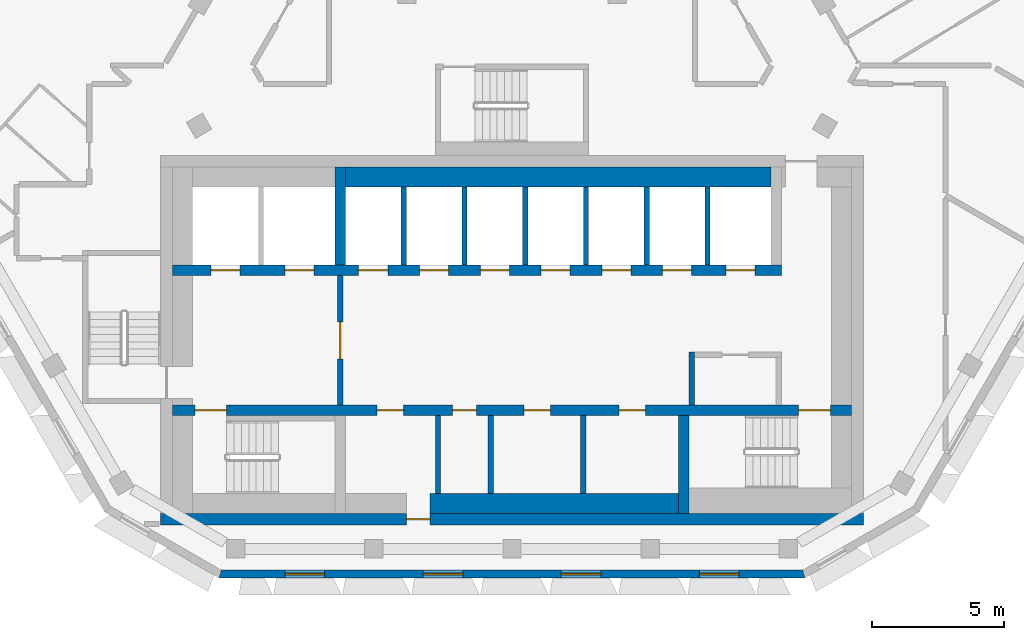
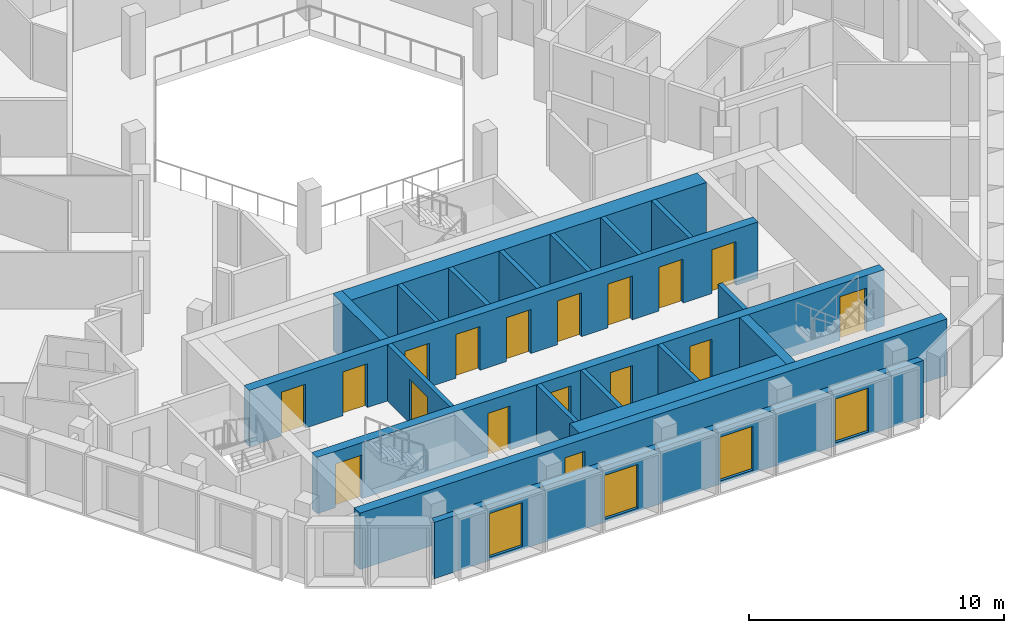
# One storey, part 3 of 14: 19 walls, 17 doors, 4 windows, 21 openings.
"""IFC4 building model written with IfcOpenShell, lengths in metres."""

from ifc_helpers import new_model, si_unit, direction, frame, frame_2d, origin, place, context, subcontext, project, spatial, polyline, rectangle, outline, extrude, material, layer, layer_set, type_object, element, fill, save


model = new_model("IFC4")

# Units and contexts
model_context = context("Model", 3, precision=1e-05, world=origin(), true_north=direction((0.0, 1.0)))
body_context = subcontext(model_context, "Body", "Model", "MODEL_VIEW")
ifc_project = project(units=[si_unit("LENGTHUNIT", "METRE"), si_unit("AREAUNIT", "SQUARE_METRE"), si_unit("VOLUMEUNIT", "CUBIC_METRE"), si_unit("PLANEANGLEUNIT", "RADIAN"), si_unit("MASSUNIT", "GRAM", prefix="KILO")], contexts=[model_context])

# Site, building, storey
site_placement = place(None, origin())
site = spatial("IfcSite", under=ifc_project, at=site_placement, CompositionType="ELEMENT")
building_placement = place(site_placement, origin())
building = spatial("IfcBuilding", under=site, at=building_placement, Name="Beryl Residences", CompositionType="ELEMENT")
storey_placement = place(building_placement, frame((0.0, 0.0, 223.800048828125)))
storey = spatial("IfcBuildingStorey", under=building, at=storey_placement, Name="L69", CompositionType="ELEMENT", Elevation=223.800048828125)

# Wall, openings, windows
ifc_material_1 = material(Name="Composite metal panel with mineral wool insulation")
ifc_layer_1 = layer(ifc_material_1, 0.300048828125)
ifc_layer_set_1 = layer_set([ifc_layer_1], Name="ES1 pale metal composite panel wall 300 mm")
wall_type_1 = type_object("IfcWallType", Name="ES1 pale metal composite panel wall 300 mm", PredefinedType="SOLIDWALL", material=ifc_layer_set_1)
wall_1_placement = place(storey_placement, frame((-11.0849609375, -20.85009765625, 0.0), z_axis=(0.0, 0.0, 1.0), x_axis=(1.0, 0.0, 0.0)))
wall_1 = element("IfcWall", 1, at=wall_1_placement, inside=storey, type_object=wall_type_1, Name="ES1 external wall L69 S", PredefinedType="SOLIDWALL", context=body_context, shape_type="SweptSolid", body=[
    extrude(outline(polyline([(0.0, -0.14990234375), (22.169921875, -0.14990234375), (22.089599609375, 0.14990234375), (0.080322265625, 0.14990234375), (0.0, -0.14990234375)])), origin(), (0.0, 0.0, 1.0), 2.699951171875),
])
opening_1_placement = place(wall_1_placement, frame((2.498046875, 0.0, 0.14990234375)))
opening_1 = element("IfcOpeningElement", 2, at=opening_1_placement, cuts=wall_1, Name="Opening W1", PredefinedType="OPENING", context=body_context, shape_type="SweptSolid", body=[
    extrude(rectangle(XDim=1.5, YDim=2.10009765625, at=frame_2d((0.75, 1.050048828125))), frame((0.0, 0.159912109375, 0.0), z_axis=(0.0, -1.0, 0.0), x_axis=(1.0, 0.0, 0.0)), (0.0, 0.0, 1.0), 0.320068359375),
])
opening_2_placement = place(wall_1_placement, frame((7.722900390625, 0.0, 0.14990234375)))
opening_2 = element("IfcOpeningElement", 3, at=opening_2_placement, cuts=wall_1, Name="Opening W1", PredefinedType="OPENING", context=body_context, shape_type="SweptSolid", body=[
    extrude(rectangle(XDim=1.5, YDim=2.10009765625, at=frame_2d((0.75, 1.050048828125))), frame((0.0, 0.159912109375, 0.0), z_axis=(0.0, -1.0, 0.0), x_axis=(1.0, 0.0, 0.0)), (0.0, 0.0, 1.0), 0.320068359375),
])
opening_3_placement = place(wall_1_placement, frame((12.947021484375, 0.0, 0.14990234375)))
opening_3 = element("IfcOpeningElement", 4, at=opening_3_placement, cuts=wall_1, Name="Opening W1", PredefinedType="OPENING", context=body_context, shape_type="SweptSolid", body=[
    extrude(rectangle(XDim=1.5, YDim=2.10009765625, at=frame_2d((0.75, 1.050048828125))), frame((0.0, 0.159912109375, 0.0), z_axis=(0.0, -1.0, 0.0), x_axis=(1.0, 0.0, 0.0)), (0.0, 0.0, 1.0), 0.320068359375),
])
opening_4_placement = place(wall_1_placement, frame((18.172119140625, 0.0, 0.14990234375)))
opening_4 = element("IfcOpeningElement", 5, at=opening_4_placement, cuts=wall_1, Name="Opening W1", PredefinedType="OPENING", context=body_context, shape_type="SweptSolid", body=[
    extrude(rectangle(XDim=1.5, YDim=2.10009765625, at=frame_2d((0.75, 1.050048828125))), frame((0.0, 0.159912109375, 0.0), z_axis=(0.0, -1.0, 0.0), x_axis=(1.0, 0.0, 0.0)), (0.0, 0.0, 1.0), 0.320068359375),
])
ifc_material_2 = material(Name="Aluminium and clear glass", Category="aluminium")
window_type = type_object("IfcWindowType", Name="W1 cell window 1500 x 2100 mm", PartitioningType="SINGLE_PANEL", PredefinedType="WINDOW", material=ifc_material_2)
window_1_placement = place(opening_1_placement, origin())
window_1 = element("IfcWindow", 6, at=window_1_placement, inside=storey, type_object=window_type, Name="W1 window L69 S 2", OverallHeight=2.10009765625, OverallWidth=1.5, PartitioningType="SINGLE_PANEL", PredefinedType="WINDOW", context=body_context, shape_type="SweptSolid", body=[
    extrude(rectangle(XDim=1.5, YDim=2.10009765625, at=frame_2d((0.75, 1.050048828125))), frame((0.0, 0.030029296875, 0.0), z_axis=(0.0, -1.0, 0.0), x_axis=(1.0, 0.0, 0.0)), (0.0, 0.0, 1.0), 0.06005859375),
])
fill(opening_1, window_1)
window_2_placement = place(opening_2_placement, origin())
window_2 = element("IfcWindow", 7, at=window_2_placement, inside=storey, type_object=window_type, Name="W1 window L69 S 4", OverallHeight=2.10009765625, OverallWidth=1.5, PartitioningType="SINGLE_PANEL", PredefinedType="WINDOW", context=body_context, shape_type="SweptSolid", body=[
    extrude(rectangle(XDim=1.5, YDim=2.10009765625, at=frame_2d((0.75, 1.050048828125))), frame((0.0, 0.030029296875, 0.0), z_axis=(0.0, -1.0, 0.0), x_axis=(1.0, 0.0, 0.0)), (0.0, 0.0, 1.0), 0.06005859375),
])
fill(opening_2, window_2)
window_3_placement = place(opening_3_placement, origin())
window_3 = element("IfcWindow", 8, at=window_3_placement, inside=storey, type_object=window_type, Name="W1 window L69 S 6", OverallHeight=2.10009765625, OverallWidth=1.5, PartitioningType="SINGLE_PANEL", PredefinedType="WINDOW", context=body_context, shape_type="SweptSolid", body=[
    extrude(rectangle(XDim=1.5, YDim=2.10009765625, at=frame_2d((0.75, 1.050048828125))), frame((0.0, 0.030029296875, 0.0), z_axis=(0.0, -1.0, 0.0), x_axis=(1.0, 0.0, 0.0)), (0.0, 0.0, 1.0), 0.06005859375),
])
fill(opening_3, window_3)
window_4_placement = place(opening_4_placement, origin())
window_4 = element("IfcWindow", 9, at=window_4_placement, inside=storey, type_object=window_type, Name="W1 window L69 S 8", OverallHeight=2.10009765625, OverallWidth=1.5, PartitioningType="SINGLE_PANEL", PredefinedType="WINDOW", context=body_context, shape_type="SweptSolid", body=[
    extrude(rectangle(XDim=1.5, YDim=2.10009765625, at=frame_2d((0.75, 1.050048828125))), frame((0.0, 0.030029296875, 0.0), z_axis=(0.0, -1.0, 0.0), x_axis=(1.0, 0.0, 0.0)), (0.0, 0.0, 1.0), 0.06005859375),
])
fill(opening_4, window_4)

# Wall, opening, door
ifc_material_3 = material(Name="Concrete masonry", Category="masonry")
ifc_layer_2 = layer(ifc_material_3, 0.199951171875)
ifc_layer_set_2 = layer_set([ifc_layer_2], Name="PT13 lobby wall 200 mm")
wall_type_2 = type_object("IfcWallType", Name="PT13 lobby wall 200 mm", PredefinedType="PARTITIONING", material=ifc_layer_set_2)
wall_2_placement = place(storey_placement, frame((-6.5, -14.449951171875, 0.0), z_axis=(0.0, 0.0, 1.0), x_axis=(0.0, 1.0, 0.0)))
wall_2 = element("IfcWall", 10, at=wall_2_placement, inside=storey, type_object=wall_type_2, Name="Lobby wall 12", PredefinedType="PARTITIONING", context=body_context, shape_type="SweptSolid", body=[
    extrude(rectangle(XDim=4.89990234375, YDim=0.199951171875, at=frame_2d((2.449951171875, 0.0))), origin(), (0.0, 0.0, 1.0), 2.699951171875),
])
opening_5_placement = place(wall_2_placement, frame((3.14990234375, 0.0, 0.0), z_axis=(0.0, 0.0, 1.0), x_axis=(-1.0, 0.0, 0.0)))
opening_5 = element("IfcOpeningElement", 11, at=opening_5_placement, cuts=wall_2, Name="Opening FD-FFL", PredefinedType="OPENING", context=body_context, shape_type="SweptSolid", body=[
    extrude(rectangle(XDim=1.39990234375, YDim=2.10009765625, at=frame_2d((0.699951171875, 1.050048828125))), frame((0.0, 0.10986328125, 0.0), z_axis=(0.0, -1.0, 0.0), x_axis=(1.0, 0.0, 0.0)), (0.0, 0.0, 1.0), 0.219970703125),
])
ifc_material_4 = material(Name="Steel door leaf in steel frame", Category="steel")
door_type_1 = type_object("IfcDoorType", Name="D5 lobby door 1400 x 2100 mm", OperationType="DOUBLE_DOOR_SINGLE_SWING", PredefinedType="DOOR", material=ifc_material_4)
door_1_placement = place(opening_5_placement, origin())
door_1 = element("IfcDoor", 12, at=door_1_placement, inside=storey, type_object=door_type_1, Name="Door FD-FFL L69 001", OperationType="DOUBLE_DOOR_SINGLE_SWING", OverallHeight=2.10009765625, OverallWidth=1.39990234375, PredefinedType="DOOR", context=body_context, shape_type="SweptSolid", body=[
    extrude(rectangle(XDim=1.39990234375, YDim=2.10009765625, at=frame_2d((0.699951171875, 1.050048828125))), frame((0.0, 0.02490234375, 0.0), z_axis=(0.0, -1.0, 0.0), x_axis=(1.0, 0.0, 0.0)), (0.0, 0.0, 1.0), 0.050048828125),
])
fill(opening_5, door_1)

# Walls
wall_3_placement = place(storey_placement, frame((6.800048828125, -14.449951171875, 0.0), z_axis=(0.0, 0.0, 1.0), x_axis=(0.0, 1.0, 0.0)))
element("IfcWall", 13, at=wall_3_placement, inside=storey, type_object=wall_type_2, Name="Lobby wall 25", PredefinedType="PARTITIONING", context=body_context, shape_type="SweptSolid", body=[
    extrude(rectangle(XDim=2.0, YDim=0.199951171875, at=frame_2d((1.0, 0.0))), origin(), (0.0, 0.0, 1.0), 2.699951171875),
])
ifc_material_5 = material(Name="Concrete C40/50", Category="concrete")
ifc_layer_3 = layer(ifc_material_5, 0.199951171875)
ifc_layer_set_3 = layer_set([ifc_layer_3], Name="PT6 lift shaft wall 200 mm reinforced concrete C40/50")
wall_type_3 = type_object("IfcWallType", Name="PT6 lift shaft wall 200 mm reinforced concrete C40/50", PredefinedType="SOLIDWALL", material=ifc_layer_set_3)
for number, where, z_axis, x_axis, name in (
    (14, (-4.10009765625, -9.14990234375, 0.0), (0.0, 0.0, 1.0), (0.0, 1.0, 0.0), "Lift shaft wall 15"),
    (15, (-1.800048828125, -9.14990234375, 0.0), (0.0, 0.0, 1.0), (0.0, 1.0, 0.0), "Lift shaft wall 18"),
    (16, (0.5, -9.14990234375, 0.0), (0.0, 0.0, 1.0), (0.0, 1.0, 0.0), "Lift shaft wall 20"),
    (17, (2.800048828125, -9.14990234375, 0.0), (0.0, 0.0, 1.0), (0.0, 1.0, 0.0), "Lift shaft wall 22"),
    (18, (5.10009765625, -9.14990234375, 0.0), (0.0, 0.0, 1.0), (0.0, 1.0, 0.0), "Lift shaft wall 23"),
    (19, (7.39990234375, -9.14990234375, 0.0), (0.0, 0.0, 1.0), (0.0, 1.0, 0.0), "Lift shaft wall 27"),
):
    element("IfcWall", number, at=place(storey_placement, frame(where, z_axis=z_axis, x_axis=x_axis)), inside=storey, type_object=wall_type_3, Name=name, PredefinedType="SOLIDWALL", context=body_context, shape_type="SweptSolid", body=[
        extrude(rectangle(XDim=2.949951171875, YDim=0.199951171875, at=frame_2d((1.47509765625, 0.0))), origin(), (0.0, 0.0, 1.0), 2.699951171875),
    ])
ifc_material_6 = material(Name="Concrete C40/50", Category="concrete")
ifc_layer_4 = layer(ifc_material_6, 0.75)
ifc_layer_set_4 = layer_set([ifc_layer_4], Name="PT6-750 lift shaft wall 750 mm")
wall_type_4 = type_object("IfcWallType", Name="PT6-750 lift shaft wall 750 mm", PredefinedType="SOLIDWALL", material=ifc_layer_set_4)
wall_4_placement = place(storey_placement, frame((-6.300048828125, -5.824951171875, 0.0), z_axis=(0.0, 0.0, 1.0), x_axis=(1.0, 0.0, 0.0)))
element("IfcWall", 20, at=wall_4_placement, inside=storey, type_object=wall_type_4, Name="Lift shaft wall 14", PredefinedType="SOLIDWALL", context=body_context, shape_type="SweptSolid", body=[
    extrude(rectangle(XDim=16.10009765625, YDim=0.75, at=frame_2d((8.050048828125, 0.0))), origin(), (0.0, 0.0, 1.0), 2.699951171875),
])
ifc_material_7 = material(Name="Concrete masonry", Category="masonry")
ifc_layer_5 = layer(ifc_material_7, 0.199951171875)
ifc_layer_set_5 = layer_set([ifc_layer_5], Name="PT8-200 service room wall 200 mm")
wall_type_5 = type_object("IfcWallType", Name="PT8-200 service room wall 200 mm", PredefinedType="PARTITIONING", material=ifc_layer_set_5)
for number, where, z_axis, x_axis, name in (
    (21, (-2.800048828125, -17.800048828125, 0.0), (0.0, 0.0, 1.0), (0.0, 1.0, 0.0), "Core room wall 17"),
    (22, (-0.800048828125, -17.800048828125, 0.0), (0.0, 0.0, 1.0), (0.0, 1.0, 0.0), "Core room wall 19"),
    (23, (2.699951171875, -17.800048828125, 0.0), (0.0, 0.0, 1.0), (0.0, 1.0, 0.0), "Core room wall 21"),
):
    element("IfcWall", number, at=place(storey_placement, frame(where, z_axis=z_axis, x_axis=x_axis)), inside=storey, type_object=wall_type_5, Name=name, PredefinedType="PARTITIONING", context=body_context, shape_type="SweptSolid", body=[
        extrude(rectangle(XDim=2.949951171875, YDim=0.199951171875, at=frame_2d((1.47509765625, 0.0))), origin(), (0.0, 0.0, 1.0), 2.699951171875),
    ])
ifc_material_8 = material(Name="Concrete masonry", Category="masonry")
ifc_layer_6 = layer(ifc_material_8, 0.75)
ifc_layer_set_6 = layer_set([ifc_layer_6], Name="PT8-750 service room wall 750 mm")
wall_type_6 = type_object("IfcWallType", Name="PT8-750 service room wall 750 mm", PredefinedType="PARTITIONING", material=ifc_layer_set_6)
wall_5_placement = place(storey_placement, frame((-3.10009765625, -18.175048828125, 0.0), z_axis=(0.0, 0.0, 1.0), x_axis=(1.0, 0.0, 0.0)))
element("IfcWall", 24, at=wall_5_placement, inside=storey, type_object=wall_type_6, Name="Core room wall 16", PredefinedType="PARTITIONING", context=body_context, shape_type="SweptSolid", body=[
    extrude(rectangle(XDim=9.400146484375, YDim=0.75, at=frame_2d((4.7001953125, 0.0))), origin(), (0.0, 0.0, 1.0), 2.699951171875),
])

# Wall, openings, doors
ifc_material_9 = material(Name="Concrete C50/60", Category="concrete")
ifc_layer_7 = layer(ifc_material_9, 0.39990234375)
ifc_layer_set_7 = layer_set([ifc_layer_7], Name="SW10 core internal wall 400 mm C50/60")
wall_type_7 = type_object("IfcWallType", Name="SW10 core internal wall 400 mm C50/60", PredefinedType="SHEAR", material=ifc_layer_set_7)
wall_6_placement = place(storey_placement, frame((-12.85009765625, -14.64990234375, 0.0), z_axis=(0.0, 0.0, 1.0), x_axis=(1.0, 0.0, 0.0)))
wall_6 = element("IfcWall", 25, at=wall_6_placement, inside=storey, type_object=wall_type_7, Name="Core wall SP1 L69", PredefinedType="SHEAR", context=body_context, shape_type="SweptSolid", body=[
    extrude(rectangle(XDim=25.7001953125, YDim=0.39990234375, at=frame_2d((12.85009765625, 0.0))), origin(), (0.0, 0.0, 1.0), 2.699951171875),
])
opening_6_placement = place(wall_6_placement, frame((2.050048828125, 0.0, 0.0), z_axis=(0.0, 0.0, 1.0), x_axis=(-1.0, 0.0, 0.0)))
opening_6 = element("IfcOpeningElement", 26, at=opening_6_placement, cuts=wall_6, Name="Opening SD-1", PredefinedType="OPENING", context=body_context, shape_type="SweptSolid", body=[
    extrude(rectangle(XDim=1.199951171875, YDim=2.10009765625, at=frame_2d((0.60009765625, 1.050048828125))), frame((0.0, 0.2099609375, 0.0), z_axis=(0.0, -1.0, 0.0), x_axis=(1.0, 0.0, 0.0)), (0.0, 0.0, 1.0), 0.419921875),
])
opening_7_placement = place(wall_6_placement, frame((24.89990234375, 0.0, 0.0), z_axis=(0.0, 0.0, 1.0), x_axis=(-1.0, 0.0, 0.0)))
opening_7 = element("IfcOpeningElement", 27, at=opening_7_placement, cuts=wall_6, Name="Opening SD-3", PredefinedType="OPENING", context=body_context, shape_type="SweptSolid", body=[
    extrude(rectangle(XDim=1.199951171875, YDim=2.10009765625, at=frame_2d((0.60009765625, 1.050048828125))), frame((0.0, 0.2099609375, 0.0), z_axis=(0.0, -1.0, 0.0), x_axis=(1.0, 0.0, 0.0)), (0.0, 0.0, 1.0), 0.419921875),
])
opening_8_placement = place(wall_6_placement, frame((8.75, 0.0, 0.0), z_axis=(0.0, 0.0, 1.0), x_axis=(-1.0, 0.0, 0.0)))
opening_8 = element("IfcOpeningElement", 28, at=opening_8_placement, cuts=wall_6, Name="Opening CD-D-S1", PredefinedType="OPENING", context=body_context, shape_type="SweptSolid", body=[
    extrude(rectangle(XDim=1.0, YDim=2.10009765625, at=frame_2d((0.5, 1.050048828125))), frame((0.0, 0.2099609375, 0.0), z_axis=(0.0, -1.0, 0.0), x_axis=(1.0, 0.0, 0.0)), (0.0, 0.0, 1.0), 0.419921875),
])
opening_9_placement = place(wall_6_placement, frame((11.5, 0.0, 0.0), z_axis=(0.0, 0.0, 1.0), x_axis=(-1.0, 0.0, 0.0)))
opening_9 = element("IfcOpeningElement", 29, at=opening_9_placement, cuts=wall_6, Name="Opening CD-D-S2-900", PredefinedType="OPENING", context=body_context, shape_type="SweptSolid", body=[
    extrude(rectangle(XDim=0.89990234375, YDim=2.10009765625, at=frame_2d((0.449951171875, 1.050048828125))), frame((0.0, 0.2099609375, 0.0), z_axis=(0.0, -1.0, 0.0), x_axis=(1.0, 0.0, 0.0)), (0.0, 0.0, 1.0), 0.419921875),
])
opening_10_placement = place(wall_6_placement, frame((14.300048828125, 0.0, 0.0), z_axis=(0.0, 0.0, 1.0), x_axis=(-1.0, 0.0, 0.0)))
opening_10 = element("IfcOpeningElement", 30, at=opening_10_placement, cuts=wall_6, Name="Opening CD-D-S3", PredefinedType="OPENING", context=body_context, shape_type="SweptSolid", body=[
    extrude(rectangle(XDim=1.0, YDim=2.10009765625, at=frame_2d((0.5, 1.050048828125))), frame((0.0, 0.2099609375, 0.0), z_axis=(0.0, -1.0, 0.0), x_axis=(1.0, 0.0, 0.0)), (0.0, 0.0, 1.0), 0.419921875),
])
opening_11_placement = place(wall_6_placement, frame((17.89990234375, 0.0, 0.0), z_axis=(0.0, 0.0, 1.0), x_axis=(-1.0, 0.0, 0.0)))
opening_11 = element("IfcOpeningElement", 31, at=opening_11_placement, cuts=wall_6, Name="Opening CD-D-S4", PredefinedType="OPENING", context=body_context, shape_type="SweptSolid", body=[
    extrude(rectangle(XDim=1.0, YDim=2.10009765625, at=frame_2d((0.5, 1.050048828125))), frame((0.0, 0.2099609375, 0.0), z_axis=(0.0, -1.0, 0.0), x_axis=(1.0, 0.0, 0.0)), (0.0, 0.0, 1.0), 0.419921875),
])
ifc_material_10 = material(Name="Steel door leaf in steel frame", Category="steel")
door_type_2 = type_object("IfcDoorType", Name="D18 service room door 1000 x 2100 mm", OperationType="SINGLE_SWING_LEFT", PredefinedType="DOOR", material=ifc_material_10)
door_2_placement = place(opening_8_placement, origin())
door_2 = element("IfcDoor", 32, at=door_2_placement, inside=storey, type_object=door_type_2, Name="Door CD-D-S1 L69 001", OperationType="SINGLE_SWING_RIGHT", OverallHeight=2.10009765625, OverallWidth=1.0, PredefinedType="DOOR", context=body_context, shape_type="SweptSolid", body=[
    extrude(rectangle(XDim=1.0, YDim=2.10009765625, at=frame_2d((0.5, 1.050048828125))), frame((0.0, 0.02490234375, 0.0), z_axis=(0.0, -1.0, 0.0), x_axis=(1.0, 0.0, 0.0)), (0.0, 0.0, 1.0), 0.050048828125),
])
fill(opening_8, door_2)
door_3_placement = place(opening_10_placement, origin())
door_3 = element("IfcDoor", 33, at=door_3_placement, inside=storey, type_object=door_type_2, Name="Door CD-D-S3 L69 001", OperationType="SINGLE_SWING_RIGHT", OverallHeight=2.10009765625, OverallWidth=1.0, PredefinedType="DOOR", context=body_context, shape_type="SweptSolid", body=[
    extrude(rectangle(XDim=1.0, YDim=2.10009765625, at=frame_2d((0.5, 1.050048828125))), frame((0.0, 0.02490234375, 0.0), z_axis=(0.0, -1.0, 0.0), x_axis=(1.0, 0.0, 0.0)), (0.0, 0.0, 1.0), 0.050048828125),
])
fill(opening_10, door_3)
door_4_placement = place(opening_11_placement, origin())
door_4 = element("IfcDoor", 34, at=door_4_placement, inside=storey, type_object=door_type_2, Name="Door CD-D-S4 L69 001", OperationType="SINGLE_SWING_LEFT", OverallHeight=2.10009765625, OverallWidth=1.0, PredefinedType="DOOR", context=body_context, shape_type="SweptSolid", body=[
    extrude(rectangle(XDim=1.0, YDim=2.10009765625, at=frame_2d((0.5, 1.050048828125))), frame((0.0, 0.02490234375, 0.0), z_axis=(0.0, -1.0, 0.0), x_axis=(1.0, 0.0, 0.0)), (0.0, 0.0, 1.0), 0.050048828125),
])
fill(opening_11, door_4)
ifc_material_11 = material(Name="Steel door leaf in steel frame", Category="steel")
door_type_3 = type_object("IfcDoorType", Name="D4 stair door 1200 x 2100 mm", OperationType="SINGLE_SWING_LEFT", PredefinedType="DOOR", material=ifc_material_11)
door_5_placement = place(opening_6_placement, origin())
door_5 = element("IfcDoor", 35, at=door_5_placement, inside=storey, type_object=door_type_3, Name="Door SD-1 L69 001", OperationType="SINGLE_SWING_RIGHT", OverallHeight=2.10009765625, OverallWidth=1.199951171875, PredefinedType="DOOR", context=body_context, shape_type="SweptSolid", body=[
    extrude(rectangle(XDim=1.199951171875, YDim=2.10009765625, at=frame_2d((0.60009765625, 1.050048828125))), frame((0.0, 0.02490234375, 0.0), z_axis=(0.0, -1.0, 0.0), x_axis=(1.0, 0.0, 0.0)), (0.0, 0.0, 1.0), 0.050048828125),
])
fill(opening_6, door_5)
door_6_placement = place(opening_7_placement, origin())
door_6 = element("IfcDoor", 36, at=door_6_placement, inside=storey, type_object=door_type_3, Name="Door SD-3 L69 001", OperationType="SINGLE_SWING_RIGHT", OverallHeight=2.10009765625, OverallWidth=1.199951171875, PredefinedType="DOOR", context=body_context, shape_type="SweptSolid", body=[
    extrude(rectangle(XDim=1.199951171875, YDim=2.10009765625, at=frame_2d((0.60009765625, 1.050048828125))), frame((0.0, 0.02490234375, 0.0), z_axis=(0.0, -1.0, 0.0), x_axis=(1.0, 0.0, 0.0)), (0.0, 0.0, 1.0), 0.050048828125),
])
fill(opening_7, door_6)
ifc_material_12 = material(Name="Steel door leaf in steel frame", Category="steel")
door_type_4 = type_object("IfcDoorType", Name="D6 service room door 900 x 2100 mm", OperationType="SINGLE_SWING_LEFT", PredefinedType="DOOR", material=ifc_material_12)
door_7_placement = place(opening_9_placement, origin())
door_7 = element("IfcDoor", 37, at=door_7_placement, inside=storey, type_object=door_type_4, Name="Door CD-D-S2-900 L69 001", OperationType="SINGLE_SWING_LEFT", OverallHeight=2.10009765625, OverallWidth=0.89990234375, PredefinedType="DOOR", context=body_context, shape_type="SweptSolid", body=[
    extrude(rectangle(XDim=0.89990234375, YDim=2.10009765625, at=frame_2d((0.449951171875, 1.050048828125))), frame((0.0, 0.02490234375, 0.0), z_axis=(0.0, -1.0, 0.0), x_axis=(1.0, 0.0, 0.0)), (0.0, 0.0, 1.0), 0.050048828125),
])
fill(opening_9, door_7)

wall_7_placement = place(storey_placement, frame((-12.85009765625, -9.35009765625, 0.0), z_axis=(0.0, 0.0, 1.0), x_axis=(1.0, 0.0, 0.0)))
wall_7 = element("IfcWall", 38, at=wall_7_placement, inside=storey, type_object=wall_type_7, Name="Core wall SP2 L69", PredefinedType="SHEAR", context=body_context, shape_type="SweptSolid", body=[
    extrude(rectangle(XDim=23.050048828125, YDim=0.39990234375, at=frame_2d((11.52490234375, 0.0))), origin(), (0.0, 0.0, 1.0), 2.699951171875),
])
opening_12_placement = place(wall_7_placement, frame((1.449951171875, 0.0, 0.0)))
opening_12 = element("IfcOpeningElement", 39, at=opening_12_placement, cuts=wall_7, Name="Opening LD-FF1", PredefinedType="OPENING", context=body_context, shape_type="SweptSolid", body=[
    extrude(rectangle(XDim=1.10009765625, YDim=2.10009765625, at=frame_2d((0.550048828125, 1.050048828125))), frame((0.0, 0.2099609375, 0.0), z_axis=(0.0, -1.0, 0.0), x_axis=(1.0, 0.0, 0.0)), (0.0, 0.0, 1.0), 0.419921875),
])
opening_13_placement = place(wall_7_placement, frame((4.25, 0.0, 0.0)))
opening_13 = element("IfcOpeningElement", 40, at=opening_13_placement, cuts=wall_7, Name="Opening LD-FF2", PredefinedType="OPENING", context=body_context, shape_type="SweptSolid", body=[
    extrude(rectangle(XDim=1.10009765625, YDim=2.10009765625, at=frame_2d((0.550048828125, 1.050048828125))), frame((0.0, 0.2099609375, 0.0), z_axis=(0.0, -1.0, 0.0), x_axis=(1.0, 0.0, 0.0)), (0.0, 0.0, 1.0), 0.419921875),
])
opening_14_placement = place(wall_7_placement, frame((7.050048828125, 0.0, 0.0)))
opening_14 = element("IfcOpeningElement", 41, at=opening_14_placement, cuts=wall_7, Name="Opening LD-HR1", PredefinedType="OPENING", context=body_context, shape_type="SweptSolid", body=[
    extrude(rectangle(XDim=1.10009765625, YDim=2.10009765625, at=frame_2d((0.550048828125, 1.050048828125))), frame((0.0, 0.2099609375, 0.0), z_axis=(0.0, -1.0, 0.0), x_axis=(1.0, 0.0, 0.0)), (0.0, 0.0, 1.0), 0.419921875),
])
opening_15_placement = place(wall_7_placement, frame((9.35009765625, 0.0, 0.0)))
opening_15 = element("IfcOpeningElement", 42, at=opening_15_placement, cuts=wall_7, Name="Opening LD-HR2", PredefinedType="OPENING", context=body_context, shape_type="SweptSolid", body=[
    extrude(rectangle(XDim=1.10009765625, YDim=2.10009765625, at=frame_2d((0.550048828125, 1.050048828125))), frame((0.0, 0.2099609375, 0.0), z_axis=(0.0, -1.0, 0.0), x_axis=(1.0, 0.0, 0.0)), (0.0, 0.0, 1.0), 0.419921875),
])
opening_16_placement = place(wall_7_placement, frame((11.64990234375, 0.0, 0.0)))
opening_16 = element("IfcOpeningElement", 43, at=opening_16_placement, cuts=wall_7, Name="Opening LD-HR3", PredefinedType="OPENING", context=body_context, shape_type="SweptSolid", body=[
    extrude(rectangle(XDim=1.10009765625, YDim=2.10009765625, at=frame_2d((0.550048828125, 1.050048828125))), frame((0.0, 0.2099609375, 0.0), z_axis=(0.0, -1.0, 0.0), x_axis=(1.0, 0.0, 0.0)), (0.0, 0.0, 1.0), 0.419921875),
])
opening_17_placement = place(wall_7_placement, frame((13.949951171875, 0.0, 0.0)))
opening_17 = element("IfcOpeningElement", 44, at=opening_17_placement, cuts=wall_7, Name="Opening LD-HR4", PredefinedType="OPENING", context=body_context, shape_type="SweptSolid", body=[
    extrude(rectangle(XDim=1.10009765625, YDim=2.10009765625, at=frame_2d((0.550048828125, 1.050048828125))), frame((0.0, 0.2099609375, 0.0), z_axis=(0.0, -1.0, 0.0), x_axis=(1.0, 0.0, 0.0)), (0.0, 0.0, 1.0), 0.419921875),
])
opening_18_placement = place(wall_7_placement, frame((16.25, 0.0, 0.0)))
opening_18 = element("IfcOpeningElement", 45, at=opening_18_placement, cuts=wall_7, Name="Opening LD-HR5", PredefinedType="OPENING", context=body_context, shape_type="SweptSolid", body=[
    extrude(rectangle(XDim=1.10009765625, YDim=2.10009765625, at=frame_2d((0.550048828125, 1.050048828125))), frame((0.0, 0.2099609375, 0.0), z_axis=(0.0, -1.0, 0.0), x_axis=(1.0, 0.0, 0.0)), (0.0, 0.0, 1.0), 0.419921875),
])
opening_19_placement = place(wall_7_placement, frame((18.550048828125, 0.0, 0.0)))
opening_19 = element("IfcOpeningElement", 46, at=opening_19_placement, cuts=wall_7, Name="Opening LD-HR6", PredefinedType="OPENING", context=body_context, shape_type="SweptSolid", body=[
    extrude(rectangle(XDim=1.10009765625, YDim=2.10009765625, at=frame_2d((0.550048828125, 1.050048828125))), frame((0.0, 0.2099609375, 0.0), z_axis=(0.0, -1.0, 0.0), x_axis=(1.0, 0.0, 0.0)), (0.0, 0.0, 1.0), 0.419921875),
])
opening_20_placement = place(wall_7_placement, frame((20.949951171875, 0.0, 0.0)))
opening_20 = element("IfcOpeningElement", 47, at=opening_20_placement, cuts=wall_7, Name="Opening LD-SL1", PredefinedType="OPENING", context=body_context, shape_type="SweptSolid", body=[
    extrude(rectangle(XDim=1.10009765625, YDim=2.10009765625, at=frame_2d((0.550048828125, 1.050048828125))), frame((0.0, 0.2099609375, 0.0), z_axis=(0.0, -1.0, 0.0), x_axis=(1.0, 0.0, 0.0)), (0.0, 0.0, 1.0), 0.419921875),
])
ifc_material_13 = material(Name="Stainless steel sliding door", Category="steel")
door_type_5 = type_object("IfcDoorType", Name="LD1 lift landing door 1100 x 2100 mm", OperationType="DOUBLE_DOOR_SLIDING", PredefinedType="DOOR", material=ifc_material_13)
door_8_placement = place(opening_12_placement, origin())
door_8 = element("IfcDoor", 48, at=door_8_placement, inside=storey, type_object=door_type_5, Name="Lift landing door FF1", OperationType="DOUBLE_DOOR_SLIDING", OverallHeight=2.10009765625, OverallWidth=1.10009765625, PredefinedType="DOOR", context=body_context, shape_type="SweptSolid", body=[
    extrude(rectangle(XDim=1.10009765625, YDim=2.10009765625, at=frame_2d((0.550048828125, 1.050048828125))), frame((0.0, 0.02490234375, 0.0), z_axis=(0.0, -1.0, 0.0), x_axis=(1.0, 0.0, 0.0)), (0.0, 0.0, 1.0), 0.050048828125),
])
fill(opening_12, door_8)
door_9_placement = place(opening_13_placement, origin())
door_9 = element("IfcDoor", 49, at=door_9_placement, inside=storey, type_object=door_type_5, Name="Lift landing door FF2", OperationType="DOUBLE_DOOR_SLIDING", OverallHeight=2.10009765625, OverallWidth=1.10009765625, PredefinedType="DOOR", context=body_context, shape_type="SweptSolid", body=[
    extrude(rectangle(XDim=1.10009765625, YDim=2.10009765625, at=frame_2d((0.550048828125, 1.050048828125))), frame((0.0, 0.02490234375, 0.0), z_axis=(0.0, -1.0, 0.0), x_axis=(1.0, 0.0, 0.0)), (0.0, 0.0, 1.0), 0.050048828125),
])
fill(opening_13, door_9)
door_10_placement = place(opening_14_placement, origin())
door_10 = element("IfcDoor", 50, at=door_10_placement, inside=storey, type_object=door_type_5, Name="Lift landing door HR1", OperationType="DOUBLE_DOOR_SLIDING", OverallHeight=2.10009765625, OverallWidth=1.10009765625, PredefinedType="DOOR", context=body_context, shape_type="SweptSolid", body=[
    extrude(rectangle(XDim=1.10009765625, YDim=2.10009765625, at=frame_2d((0.550048828125, 1.050048828125))), frame((0.0, 0.02490234375, 0.0), z_axis=(0.0, -1.0, 0.0), x_axis=(1.0, 0.0, 0.0)), (0.0, 0.0, 1.0), 0.050048828125),
])
fill(opening_14, door_10)
door_11_placement = place(opening_15_placement, origin())
door_11 = element("IfcDoor", 51, at=door_11_placement, inside=storey, type_object=door_type_5, Name="Lift landing door HR2", OperationType="DOUBLE_DOOR_SLIDING", OverallHeight=2.10009765625, OverallWidth=1.10009765625, PredefinedType="DOOR", context=body_context, shape_type="SweptSolid", body=[
    extrude(rectangle(XDim=1.10009765625, YDim=2.10009765625, at=frame_2d((0.550048828125, 1.050048828125))), frame((0.0, 0.02490234375, 0.0), z_axis=(0.0, -1.0, 0.0), x_axis=(1.0, 0.0, 0.0)), (0.0, 0.0, 1.0), 0.050048828125),
])
fill(opening_15, door_11)
door_12_placement = place(opening_16_placement, origin())
door_12 = element("IfcDoor", 52, at=door_12_placement, inside=storey, type_object=door_type_5, Name="Lift landing door HR3", OperationType="DOUBLE_DOOR_SLIDING", OverallHeight=2.10009765625, OverallWidth=1.10009765625, PredefinedType="DOOR", context=body_context, shape_type="SweptSolid", body=[
    extrude(rectangle(XDim=1.10009765625, YDim=2.10009765625, at=frame_2d((0.550048828125, 1.050048828125))), frame((0.0, 0.02490234375, 0.0), z_axis=(0.0, -1.0, 0.0), x_axis=(1.0, 0.0, 0.0)), (0.0, 0.0, 1.0), 0.050048828125),
])
fill(opening_16, door_12)
door_13_placement = place(opening_17_placement, origin())
door_13 = element("IfcDoor", 53, at=door_13_placement, inside=storey, type_object=door_type_5, Name="Lift landing door HR4", OperationType="DOUBLE_DOOR_SLIDING", OverallHeight=2.10009765625, OverallWidth=1.10009765625, PredefinedType="DOOR", context=body_context, shape_type="SweptSolid", body=[
    extrude(rectangle(XDim=1.10009765625, YDim=2.10009765625, at=frame_2d((0.550048828125, 1.050048828125))), frame((0.0, 0.02490234375, 0.0), z_axis=(0.0, -1.0, 0.0), x_axis=(1.0, 0.0, 0.0)), (0.0, 0.0, 1.0), 0.050048828125),
])
fill(opening_17, door_13)
door_14_placement = place(opening_18_placement, origin())
door_14 = element("IfcDoor", 54, at=door_14_placement, inside=storey, type_object=door_type_5, Name="Lift landing door HR5", OperationType="DOUBLE_DOOR_SLIDING", OverallHeight=2.10009765625, OverallWidth=1.10009765625, PredefinedType="DOOR", context=body_context, shape_type="SweptSolid", body=[
    extrude(rectangle(XDim=1.10009765625, YDim=2.10009765625, at=frame_2d((0.550048828125, 1.050048828125))), frame((0.0, 0.02490234375, 0.0), z_axis=(0.0, -1.0, 0.0), x_axis=(1.0, 0.0, 0.0)), (0.0, 0.0, 1.0), 0.050048828125),
])
fill(opening_18, door_14)
door_15_placement = place(opening_19_placement, origin())
door_15 = element("IfcDoor", 55, at=door_15_placement, inside=storey, type_object=door_type_5, Name="Lift landing door HR6", OperationType="DOUBLE_DOOR_SLIDING", OverallHeight=2.10009765625, OverallWidth=1.10009765625, PredefinedType="DOOR", context=body_context, shape_type="SweptSolid", body=[
    extrude(rectangle(XDim=1.10009765625, YDim=2.10009765625, at=frame_2d((0.550048828125, 1.050048828125))), frame((0.0, 0.02490234375, 0.0), z_axis=(0.0, -1.0, 0.0), x_axis=(1.0, 0.0, 0.0)), (0.0, 0.0, 1.0), 0.050048828125),
])
fill(opening_19, door_15)
door_16_placement = place(opening_20_placement, origin())
door_16 = element("IfcDoor", 56, at=door_16_placement, inside=storey, type_object=door_type_5, Name="Lift landing door SL1", OperationType="DOUBLE_DOOR_SLIDING", OverallHeight=2.10009765625, OverallWidth=1.10009765625, PredefinedType="DOOR", context=body_context, shape_type="SweptSolid", body=[
    extrude(rectangle(XDim=1.10009765625, YDim=2.10009765625, at=frame_2d((0.550048828125, 1.050048828125))), frame((0.0, 0.02490234375, 0.0), z_axis=(0.0, -1.0, 0.0), x_axis=(1.0, 0.0, 0.0)), (0.0, 0.0, 1.0), 0.050048828125),
])
fill(opening_20, door_16)

# Walls
for number, where, z_axis, x_axis, name in (
    (57, (6.5, -18.550048828125, 0.0), (0.0, 0.0, 1.0), (0.0, 1.0, 0.0), "Core wall XS2 L69"),
    (58, (-6.5, -9.14990234375, 0.0), (0.0, 0.0, 1.0), (0.0, 1.0, 0.0), "Core wall XN1 L69"),
):
    element("IfcWall", number, at=place(storey_placement, frame(where, z_axis=z_axis, x_axis=x_axis)), inside=storey, type_object=wall_type_7, Name=name, PredefinedType="SHEAR", context=body_context, shape_type="SweptSolid", body=[
        extrude(rectangle(XDim=3.699951171875, YDim=0.39990234375, at=frame_2d((1.85009765625, 0.0))), origin(), (0.0, 0.0, 1.0), 2.699951171875),
    ])

# Wall, opening, door
ifc_material_14 = material(Name="Concrete C50/60", Category="concrete")
ifc_layer_8 = layer(ifc_material_14, 0.449951171875)
ifc_layer_set_8 = layer_set([ifc_layer_8], Name="SW5 core outer wall 450 mm C50/60")
wall_type_8 = type_object("IfcWallType", Name="SW5 core outer wall 450 mm C50/60", PredefinedType="SHEAR", material=ifc_layer_set_8)
wall_8_placement = place(storey_placement, frame((-13.300048828125, -18.77490234375, 0.0), z_axis=(0.0, 0.0, 1.0), x_axis=(1.0, 0.0, 0.0)))
wall_8 = element("IfcWall", 59, at=wall_8_placement, inside=storey, type_object=wall_type_8, Name="Core wall S L69", PredefinedType="SHEAR", context=body_context, shape_type="SweptSolid", body=[
    extrude(rectangle(XDim=26.60009765625, YDim=0.449951171875, at=frame_2d((13.300048828125, 0.0))), origin(), (0.0, 0.0, 1.0), 2.699951171875),
])
opening_21_placement = place(wall_8_placement, frame((9.300048828125, 0.0, 0.0)))
opening_21 = element("IfcOpeningElement", 60, at=opening_21_placement, cuts=wall_8, Name="Opening RD-RS", PredefinedType="OPENING", context=body_context, shape_type="SweptSolid", body=[
    extrude(rectangle(XDim=0.89990234375, YDim=2.10009765625, at=frame_2d((0.449951171875, 1.050048828125))), frame((0.0, 0.23486328125, 0.0), z_axis=(0.0, -1.0, 0.0), x_axis=(1.0, 0.0, 0.0)), (0.0, 0.0, 1.0), 0.469970703125),
])
ifc_material_15 = material(Name="Steel door leaf in steel frame", Category="steel")
door_type_6 = type_object("IfcDoorType", Name="D23 riser door 900 x 2100 mm", OperationType="SINGLE_SWING_LEFT", PredefinedType="DOOR", material=ifc_material_15)
door_17_placement = place(opening_21_placement, origin())
door_17 = element("IfcDoor", 61, at=door_17_placement, inside=storey, type_object=door_type_6, Name="Door RD-RS L69 001", OperationType="SINGLE_SWING_RIGHT", OverallHeight=2.10009765625, OverallWidth=0.89990234375, PredefinedType="DOOR", context=body_context, shape_type="SweptSolid", body=[
    extrude(rectangle(XDim=0.89990234375, YDim=2.10009765625, at=frame_2d((0.449951171875, 1.050048828125))), frame((0.0, 0.02490234375, 0.0), z_axis=(0.0, -1.0, 0.0), x_axis=(1.0, 0.0, 0.0)), (0.0, 0.0, 1.0), 0.050048828125),
])
fill(opening_21, door_17)

save(model, "model.ifc")
